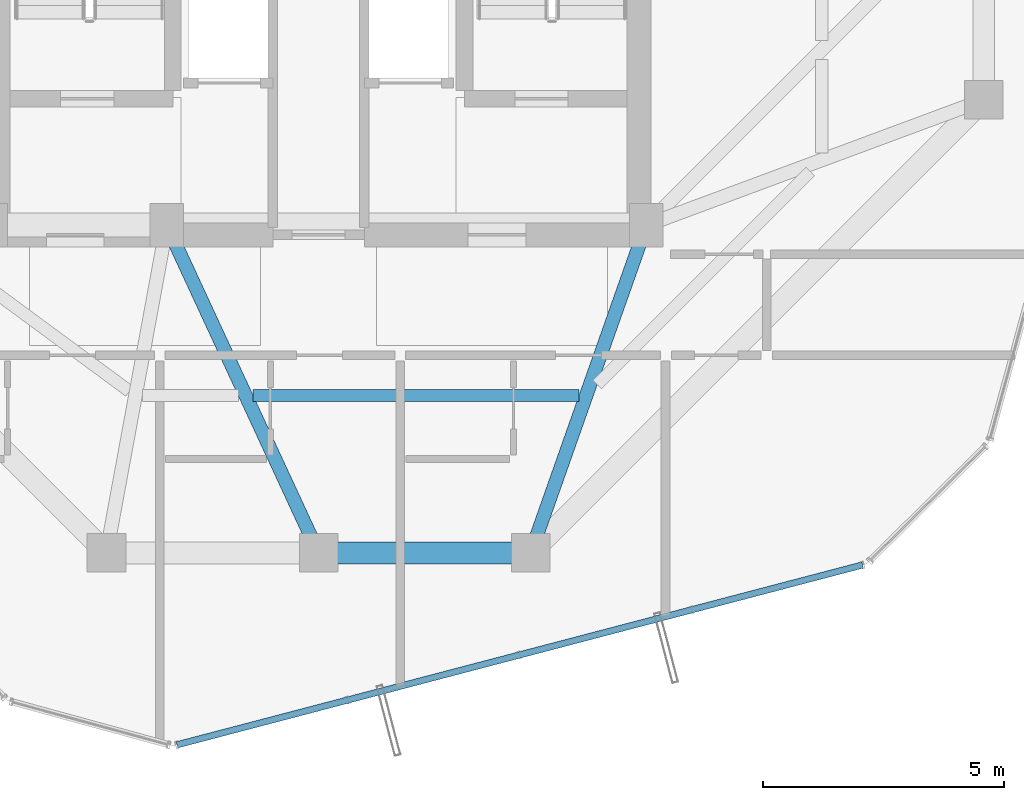
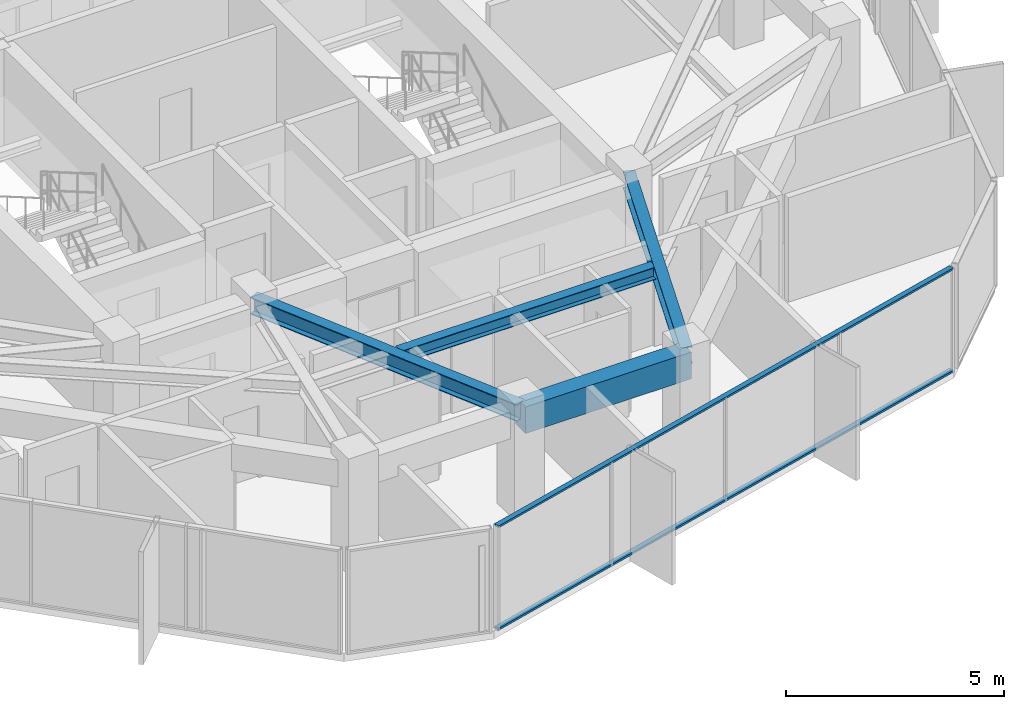
# One storey, part 9 of 29: 4 beams, 2 members, 1 element without a shape of its own.
"""IFC4 building model written with IfcOpenShell, lengths in metres."""

from ifc_helpers import new_model, si_unit, direction, frame, origin, origin_2d, place, context, subcontext, project, spatial, rectangle, hollow_rectangle, i_section, extrude, source, transform, mapped, material, layer, layer_set, material_profile, profile_set, type_object, element, aggregate, save


model = new_model("IFC4")

# Units and contexts
model_context = context("Model", 3, precision=1e-05, world=origin(), true_north=direction((0.0, 1.0)))
body_context = subcontext(model_context, "Body", "Model", "MODEL_VIEW")
ifc_project = project(units=[si_unit("LENGTHUNIT", "METRE"), si_unit("AREAUNIT", "SQUARE_METRE"), si_unit("VOLUMEUNIT", "CUBIC_METRE"), si_unit("PLANEANGLEUNIT", "RADIAN"), si_unit("MASSUNIT", "GRAM", prefix="KILO")], contexts=[model_context])

# Site, building, storey
site_placement = place(None, origin())
site = spatial("IfcSite", under=ifc_project, at=site_placement, CompositionType="ELEMENT")
building_placement = place(site_placement, origin())
building = spatial("IfcBuilding", under=site, at=building_placement, Name="Veraguas Prism Commons", CompositionType="ELEMENT")
storey_placement = place(building_placement, frame((0.0, 0.0, 261.0)))
storey = spatial("IfcBuildingStorey", under=building, at=storey_placement, Name="L74", CompositionType="ELEMENT", Elevation=261.0)

# Beams
ifc_material_1 = material(Name="Concrete C50/60", Category="concrete")
ifc_material_profile_1 = material_profile(ifc_material_1, rectangle(XDim=0.449951171875, YDim=0.75, at=origin_2d()), Name="RC450X750")
ifc_profile_set_1 = profile_set([ifc_material_profile_1], Name="Concrete C50/60")
beam_type_1 = type_object("IfcBeamType", Name="Perimeter Spandrel Upper RC 450x750", PredefinedType="SPANDREL", material=ifc_profile_set_1)
beam_1_placement = place(storey_placement, frame((24.0, 10.199951171875, 2.554931640625), z_axis=(1.0, 0.0, 0.0), x_axis=(0.0, 1.0, 0.0)))
element("IfcBeam", 1, at=beam_1_placement, inside=storey, type_object=beam_type_1, Name="Perimeter Spandrel Beam L74-SP11", PredefinedType="SPANDREL", context=body_context, shape_type="SweptSolid", body=[
    extrude(rectangle(XDim=0.449951171875, YDim=0.75, at=origin_2d()), origin(), (0.0, 0.0, 1.0), 4.39990234375),
])
ifc_material_2 = material(Name="Steel ASTM A992 Grade 50", Category="steel")
ifc_material_profile_2 = material_profile(ifc_material_2, i_section(OverallWidth=0.25390625, OverallDepth=0.35302734375, WebThickness=0.009521484375, FlangeThickness=0.016357421875, at=origin_2d()), Name="W360X91")
ifc_profile_set_2 = profile_set([ifc_material_profile_2], Name="Steel ASTM A992 Grade 50")
beam_type_2 = type_object("IfcBeamType", Name="Upper Floor Joist W360x91", PredefinedType="JOIST", material=ifc_profile_set_2)
beam_2_placement = place(storey_placement, frame((22.6416015625, 13.464111328125, 2.75341796875), z_axis=(1.0, 0.0, 0.0), x_axis=(0.0, 1.0, 0.0)))
element("IfcBeam", 2, at=beam_2_placement, inside=storey, type_object=beam_type_2, Name="Composite Floor Joist L74-JS11", PredefinedType="JOIST", context=body_context, shape_type="SweptSolid", body=[
    extrude(i_section(OverallWidth=0.25390625, OverallDepth=0.35302734375, WebThickness=0.009521484375, FlangeThickness=0.016357421875, at=origin_2d()), origin(), (0.0, 0.0, 1.0), 6.762451171875),
])
ifc_material_profile_3 = material_profile(ifc_material_2, i_section(OverallWidth=0.282958984375, OverallDepth=0.471923828125, WebThickness=0.013671875, FlangeThickness=0.022216796875, at=origin_2d()), Name="W460X144")
ifc_profile_set_3 = profile_set([ifc_material_profile_3], Name="Steel ASTM A992 Grade 50")
beam_type_3 = type_object("IfcBeamType", Name="Zone 4 Radial Girder W460x144", PredefinedType="BEAM", material=ifc_profile_set_3)
beam_3_placement = place(storey_placement, frame((24.0, 10.199951171875, 2.694091796875), z_axis=(-0.420313834543, 0.907378796585, 0.0), x_axis=(-0.907378796585, -0.420313834543, 0.0)))
element("IfcBeam", 3, at=beam_3_placement, inside=storey, type_object=beam_type_3, Name="Radial Floor Girder L74-RD11", PredefinedType="BEAM", context=body_context, shape_type="SweptSolid", body=[
    extrude(i_section(OverallWidth=0.282958984375, OverallDepth=0.471923828125, WebThickness=0.013671875, FlangeThickness=0.022216796875, at=origin_2d()), origin(), (0.0, 0.0, 1.0), 7.494140625),
])
beam_4_placement = place(storey_placement, frame((28.39990234375, 10.199951171875, 2.694091796875), z_axis=(0.332836055941, 0.942984708182, 0.0), x_axis=(-0.942984708182, 0.332836055941, 0.0)))
element("IfcBeam", 4, at=beam_4_placement, inside=storey, type_object=beam_type_3, Name="Radial Floor Girder L74-RD12", PredefinedType="BEAM", context=body_context, shape_type="SweptSolid", body=[
    extrude(i_section(OverallWidth=0.282958984375, OverallDepth=0.471923828125, WebThickness=0.013671875, FlangeThickness=0.022216796875, at=origin_2d()), origin(), (0.0, 0.0, 1.0), 7.211181640625),
])

# Curtain wall, members
ifc_material_3 = material(Name="Anodised aluminium EN AW-6063 T6", Category="aluminium")
ifc_layer = layer(ifc_material_3, 0.14990234375, Name="Unitised Flush Curtain Wall Zone 4", Category="aluminium")
ifc_layer_set = layer_set([ifc_layer], Name="Anodised aluminium EN AW-6063 T6")
curtain_wall_type = type_object("IfcCurtainWallType", Name="Unitised Flush Curtain Wall Zone 4", PredefinedType="NOTDEFINED", material=ifc_layer_set)
curtain_wall_placement = place(storey_placement, origin())
curtain_wall = element("IfcCurtainWall", 5, at=curtain_wall_placement, inside=storey, type_object=curtain_wall_type, Name="Tower Facade Curtain Wall L74-F5", PredefinedType="NOTDEFINED")
ifc_material_profile_4 = material_profile(ifc_material_3, hollow_rectangle(XDim=0.054931640625, YDim=0.135009765625, WallThickness=0.0029296875, at=origin_2d()), Name="AL55X135X3")
ifc_profile_set_4 = profile_set([ifc_material_profile_4], Name="Anodised aluminium EN AW-6063 T6")
member_type = type_object("IfcMemberType", Name="Curtain Wall Transom Standard AL 55x135x3", PredefinedType="USERDEFINED", material=ifc_profile_set_4)
shared_shape = source(origin(), body_context, "Body", "SweptSolid", [
    extrude(hollow_rectangle(XDim=0.054931640625, YDim=0.135009765625, WallThickness=0.0029296875, at=origin_2d()), origin(), (0.0, 0.0, 1.0), 14.70654296875),
])
member_1_placement = place(storey_placement, frame((21.06298828125, 6.218017578125, 0.027587890625), z_axis=(0.967262858675, 0.253776599055, 0.0), x_axis=(0.0, 0.0, 1.0)))
member_1 = element("IfcMember", 6, at=member_1_placement, type_object=member_type, Name="CW-Z4 Transom 1", ObjectType="TRANSOM", PredefinedType="USERDEFINED", context=body_context, shape_type="MappedRepresentation", body=[
    mapped(shared_shape, transform((0.0, 0.0, 0.0), scale=1.0)),
])
member_2_placement = place(storey_placement, frame((21.06298828125, 6.218017578125, 2.902587890625), z_axis=(0.967262858675, 0.253776599055, 0.0), x_axis=(0.0, 0.0, 1.0)))
member_2 = element("IfcMember", 7, at=member_2_placement, type_object=member_type, Name="CW-Z4 Transom 2", ObjectType="TRANSOM", PredefinedType="USERDEFINED", context=body_context, shape_type="MappedRepresentation", body=[
    mapped(shared_shape, transform((0.0, 0.0, 0.0), scale=1.0)),
])
aggregate(curtain_wall, [member_1, member_2])

save(model, "model.ifc")
